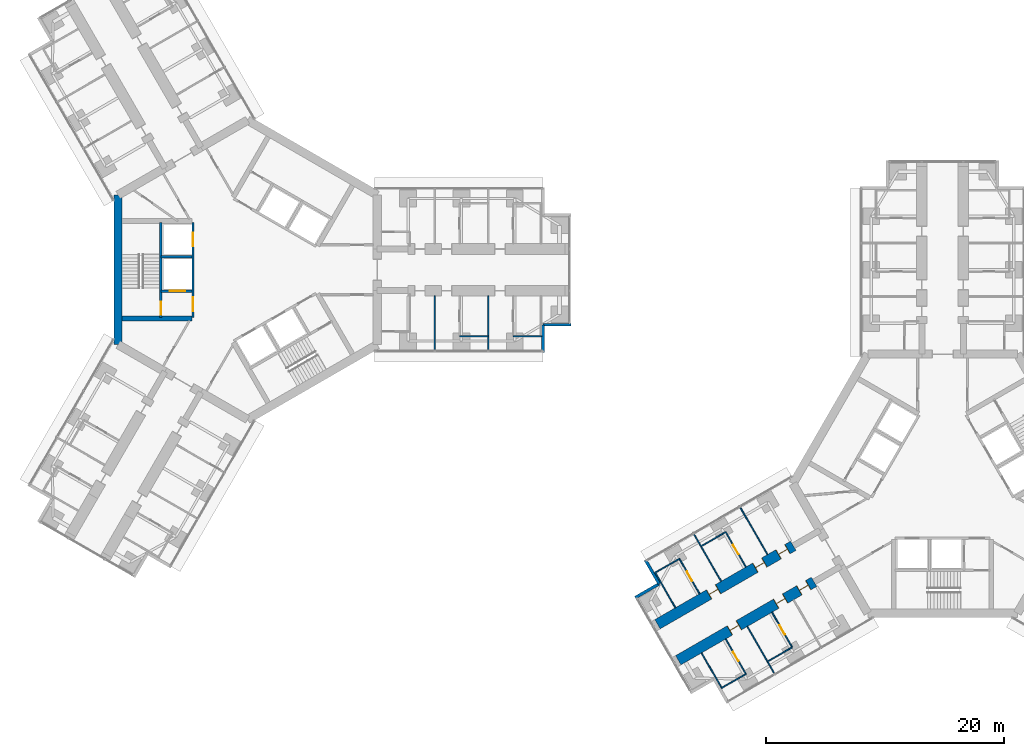
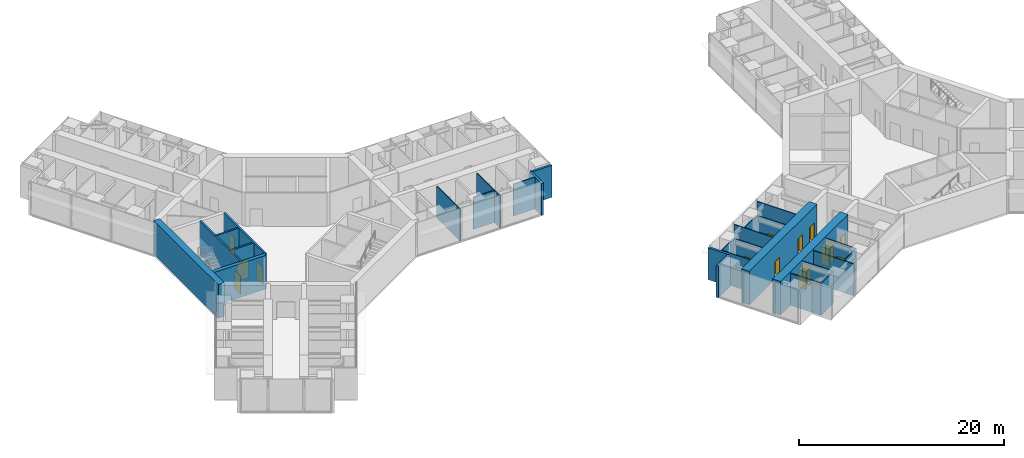
# One storey, part 17 of 25: 29 walls, 14 doors, 14 openings.
"""IFC4 building model written with IfcOpenShell, lengths in metres."""

import ifcopenshell
import ifcopenshell.guid

model = None  # the IFC model being written
_history = None  # IfcOwnerHistory: only IFC2X3 demands one
_inside = {}  # id of a spatial element -> (the spatial element, [elements in it])
_under = {}  # id of a project, library or spatial element -> (it, [spatial elements below it])
_declared = {}  # id of a project -> (the project, [libraries it declares])
_typed = {}  # id of a type object -> (the type object, [elements of that type])
_made_of = {}  # id of a material, layer set ... -> (it, [elements and type objects made of it])


def new_model(schema):
    """Start an empty IFC model of exactly this schema.

    Asked for "IFC4X3", IfcOpenShell would pick the latest addendum, in which some entities
    have other attributes; the version numbers below select the first issue.
    IFC2X3 requires an IfcOwnerHistory on every rooted entity: one is made here for all.
    """
    global model, _history
    if schema == "IFC4X3":
        model = ifcopenshell.file(schema_version=(4, 3, 0, 0))
    else:
        model = ifcopenshell.file(schema=schema)
    _inside.clear()
    _under.clear()
    _declared.clear()
    _typed.clear()
    _made_of.clear()
    _history = None
    if model.schema == "IFC2X3":
        org = make("IfcOrganization", Name="unknown")
        user = make(
            "IfcPersonAndOrganization",
            ThePerson=make("IfcPerson", FamilyName="unknown"),
            TheOrganization=org,
        )
        app = make(
            "IfcApplication",
            ApplicationDeveloper=org,
            Version="unknown",
            ApplicationFullName="unknown",
            ApplicationIdentifier="unknown",
        )
        _history = make(
            "IfcOwnerHistory",
            OwningUser=user,
            OwningApplication=app,
            ChangeAction="ADDED",
            CreationDate=0,
        )
    return model


def make(cls, **values):
    """One entity of the class cls with the attributes given. An attribute that is None is left unset."""
    return model.create_entity(
        cls, **{name: value for name, value in values.items() if value is not None}
    )


def rooted(cls, **values):
    """An entity with a GlobalId (a new one), such as an element, a storey or a relation."""
    return make(cls, GlobalId=ifcopenshell.guid.new(), OwnerHistory=_history, **values)


def si_unit(unit_type, name, prefix=None):
    """IfcSIUnit, for example si_unit("LENGTHUNIT", "METRE", prefix="MILLI")."""
    return make("IfcSIUnit", UnitType=unit_type, Prefix=prefix, Name=name)


def assignment(units):
    """IfcUnitAssignment: the units of a project."""
    return None if units is None else make("IfcUnitAssignment", Units=units)


def point(xyz):
    """IfcCartesianPoint."""
    return None if xyz is None else make("IfcCartesianPoint", Coordinates=xyz)


def direction(xyz):
    """IfcDirection."""
    return None if xyz is None else make("IfcDirection", DirectionRatios=xyz)


def frame(location, z_axis=None, x_axis=None):
    """IfcAxis2Placement3D, a coordinate frame: its origin and axes. An axis left out is left unset."""
    return make(
        "IfcAxis2Placement3D",
        Location=point(location),
        Axis=direction(z_axis),
        RefDirection=direction(x_axis),
    )


def frame_2d(location, x_axis=None):
    """IfcAxis2Placement2D, a coordinate frame in the plane: its origin and x axis."""
    return make(
        "IfcAxis2Placement2D", Location=point(location), RefDirection=direction(x_axis)
    )


def origin():
    """The frame at (0, 0, 0) with its axes left unset."""
    return frame((0.0, 0.0, 0.0))


def place(relative_to, where):
    """IfcLocalPlacement: puts the frame where relative to a parent placement (None: the world)."""
    return make(
        "IfcLocalPlacement", PlacementRelTo=relative_to, RelativePlacement=where
    )


def context(
    kind, dimensions, precision=None, world=None, true_north=None, identifier=None
):
    """IfcGeometricRepresentationContext, for example the 3D "Model" context."""
    return make(
        "IfcGeometricRepresentationContext",
        ContextIdentifier=identifier,
        ContextType=kind,
        CoordinateSpaceDimension=dimensions,
        Precision=precision,
        WorldCoordinateSystem=world,
        TrueNorth=true_north,
    )


def subcontext(parent, identifier, kind, view, scale=None):
    """IfcGeometricRepresentationSubContext, for example "Body" below "Model"."""
    return make(
        "IfcGeometricRepresentationSubContext",
        ContextIdentifier=identifier,
        ContextType=kind,
        ParentContext=parent,
        TargetScale=scale,
        TargetView=view,
    )


def project(units=None, contexts=None):
    """IfcProject with its units and contexts."""
    return rooted(
        "IfcProject",
        Name="project",
        RepresentationContexts=contexts,
        UnitsInContext=assignment(units),
    )


def spatial(cls, under=None, at=None, **own):
    """A site, building, storey or space (cls), placed at a placement, below another one or the project."""
    s = rooted(cls, ObjectPlacement=at, **own)
    if under is not None:
        _under.setdefault(under.id(), (under, []))[1].append(s)
    return s


def profile(cls, at=None, kind="AREA", **sizes):
    """A parametric profile (cls). Its sizes go by their IFC names, for example OverallWidth=200.0."""
    return make(cls, ProfileType=kind, Position=at, **sizes)


def rectangle(**sizes):
    """IfcRectangleProfileDef."""
    return profile("IfcRectangleProfileDef", **sizes)


def extrude(swept, where, along, depth):
    """IfcExtrudedAreaSolid: the profile swept, set in the frame where, extruded along a direction by depth."""
    return make(
        "IfcExtrudedAreaSolid",
        SweptArea=swept,
        Position=where,
        ExtrudedDirection=direction(along),
        Depth=depth,
    )


def shape(context_of_items, identifier, shape_type, items):
    """IfcShapeRepresentation: the items that make up one representation, for example the "Body"."""
    return make(
        "IfcShapeRepresentation",
        ContextOfItems=context_of_items,
        RepresentationIdentifier=identifier,
        RepresentationType=shape_type,
        Items=items,
    )


def material(Name=None, Category=None):
    """IfcMaterial."""
    return make("IfcMaterial", Name=Name, Category=Category)


def layer(
    of_material, thickness, ventilated=None, Name=None, Category=None, Priority=None
):
    """IfcMaterialLayer: one layer of a wall or slab, of a material (None: an air gap)."""
    return make(
        "IfcMaterialLayer",
        Material=of_material,
        LayerThickness=thickness,
        IsVentilated=ventilated,
        Name=Name,
        Category=Category,
        Priority=Priority,
    )


def layer_set(layers, Name=None):
    """IfcMaterialLayerSet."""
    return make("IfcMaterialLayerSet", MaterialLayers=layers, LayerSetName=Name)


def made_of(thing, what):
    """Note that an element or type object is made of a material, layer set ...; save() writes the relation."""
    if what is not None:
        _made_of.setdefault(what.id(), (what, []))[1].append(thing)
    return thing


def type_object(cls, material=None, **own):
    """A type object (cls), such as IfcWallType, which elements share."""
    return made_of(rooted(cls, **own), material)


def element(
    cls,
    number,
    at=None,
    inside=None,
    cuts=None,
    type_object=None,
    material=None,
    context=None,
    identifier="Body",
    shape_type=None,
    held_by="IfcProductDefinitionShape",
    body=None,
    shapes=None,
    **own,
):
    """One element of the class cls, such as IfcWall. Its Tag is "e" and its number.

    at: its placement. inside: the storey or other place that contains it. cuts: it is an
    opening in that element (IfcRelVoidsElement). A single representation is given by context,
    identifier, shape_type and body (its items); several are given by shapes. held_by: the class
    of the entity that holds the representations. save() writes the other relations.
    """
    e = rooted(cls, Tag="e%d" % number, ObjectPlacement=at, **own)
    if body is not None:
        shapes = [shape(context, identifier, shape_type, body)]
    if shapes is not None:
        e.Representation = make(held_by, Representations=shapes)
    if inside is not None:
        _inside.setdefault(inside.id(), (inside, []))[1].append(e)
    if cuts is not None:
        rooted(
            "IfcRelVoidsElement", RelatingBuildingElement=cuts, RelatedOpeningElement=e
        )
    if type_object is not None:
        _typed.setdefault(type_object.id(), (type_object, []))[1].append(e)
    return made_of(e, material)


def fill(opening, filler):
    """IfcRelFillsElement: the door or window that sits in an opening."""
    return rooted(
        "IfcRelFillsElement",
        RelatingOpeningElement=opening,
        RelatedBuildingElement=filler,
    )


def aggregate(whole, parts):
    """IfcRelAggregates: a whole, such as a stair, and the parts it consists of."""
    return rooted("IfcRelAggregates", RelatingObject=whole, RelatedObjects=parts)


def save(model, path):
    """Write the relations noted so far, then the file.

    IfcRelAggregates (storeys below a building ...), IfcRelContainedInSpatialStructure (elements
    in a storey), IfcRelDefinesByType, IfcRelAssociatesMaterial and IfcRelDeclares: one each for
    every whole, place, type object, material and project.
    """
    for whole, parts in _under.values():
        aggregate(whole, parts)
    for where, things in _inside.values():
        rooted(
            "IfcRelContainedInSpatialStructure",
            RelatedElements=things,
            RelatingStructure=where,
        )
    for kind, things in _typed.values():
        rooted("IfcRelDefinesByType", RelatedObjects=things, RelatingType=kind)
    for what, things in _made_of.values():
        rooted("IfcRelAssociatesMaterial", RelatedObjects=things, RelatingMaterial=what)
    for by, libraries in _declared.values():
        rooted("IfcRelDeclares", RelatingContext=by, RelatedDefinitions=libraries)
    model.write(path)


model = new_model("IFC4")

# Units and contexts
model_context = context("Model", 3, precision=1e-05, world=origin(), true_north=direction((0.0, 1.0)))
body_context = subcontext(model_context, "Body", "Model", "MODEL_VIEW")
ifc_project = project(units=[si_unit("LENGTHUNIT", "METRE"), si_unit("AREAUNIT", "SQUARE_METRE"), si_unit("VOLUMEUNIT", "CUBIC_METRE"), si_unit("PLANEANGLEUNIT", "RADIAN"), si_unit("MASSUNIT", "GRAM", prefix="KILO")], contexts=[model_context])

# Site, building, storey
site_placement = place(None, origin())
site = spatial("IfcSite", under=ifc_project, at=site_placement, CompositionType="ELEMENT")
building_placement = place(site_placement, origin())
building = spatial("IfcBuilding", under=site, at=building_placement, Name="Upepo Twin Towers", CompositionType="ELEMENT")
storey_placement = place(building_placement, frame((0.0, 0.0, 84.5)))
storey = spatial("IfcBuildingStorey", under=building, at=storey_placement, Name="L20", CompositionType="ELEMENT", Elevation=84.5)

# Wall, openings, doors
ifc_material_1 = material(Name="Concrete C60/75", Category="concrete")
ifc_layer_1 = layer(ifc_material_1, 0.89990234375)
ifc_layer_set_1 = layer_set([ifc_layer_1], Name="Concrete C60/75")
wall_type_1 = type_object("IfcWallType", Name="Buttress wall 900 RC", PredefinedType="SHEAR", material=ifc_layer_set_1)
wall_1_placement = place(storey_placement, frame((47.68359375, -26.265625, 0.0), z_axis=(0.0, 0.0, 1.0), x_axis=(-0.866027579429, -0.499996231654, 0.0)))
wall_1 = element("IfcWall", 1, at=wall_1_placement, inside=storey, type_object=wall_type_1, Name="T2 wing B buttress wall L part 2", PredefinedType="SHEAR", context=body_context, shape_type="SweptSolid", body=[
    extrude(rectangle(XDim=13.19970703125, YDim=0.89990234375, at=frame_2d((6.599853515625, 0.0))), origin(), (0.0, 0.0, 1.0), 4.0),
])
opening_1_placement = place(wall_1_placement, frame((0.550048828125, 0.0, 0.0)))
opening_1 = element("IfcOpeningElement", 2, at=opening_1_placement, cuts=wall_1, Name="Opening D14", PredefinedType="OPENING", context=body_context, shape_type="SweptSolid", body=[
    extrude(rectangle(XDim=0.89990234375, YDim=2.10009765625, at=frame_2d((0.449951171875, 1.050048828125))), frame((0.0, 0.4599609375, 0.0), z_axis=(0.0, -1.0, 0.0), x_axis=(1.0, 0.0, 0.0)), (0.0, 0.0, 1.0), 0.919921875),
])
opening_2_placement = place(wall_1_placement, frame((2.800048828125, 0.0, 0.0)))
opening_2 = element("IfcOpeningElement", 3, at=opening_2_placement, cuts=wall_1, Name="Opening D14", PredefinedType="OPENING", context=body_context, shape_type="SweptSolid", body=[
    extrude(rectangle(XDim=0.89990234375, YDim=2.10009765625, at=frame_2d((0.449951171875, 1.050048828125))), frame((0.0, 0.4599609375, 0.0), z_axis=(0.0, -1.0, 0.0), x_axis=(1.0, 0.0, 0.0)), (0.0, 0.0, 1.0), 0.919921875),
])
opening_3_placement = place(wall_1_placement, frame((7.300048828125, 0.0, 0.0)))
opening_3 = element("IfcOpeningElement", 4, at=opening_3_placement, cuts=wall_1, Name="Opening D14", PredefinedType="OPENING", context=body_context, shape_type="SweptSolid", body=[
    extrude(rectangle(XDim=0.89990234375, YDim=2.10009765625, at=frame_2d((0.449951171875, 1.050048828125))), frame((0.0, 0.4599609375, 0.0), z_axis=(0.0, -1.0, 0.0), x_axis=(1.0, 0.0, 0.0)), (0.0, 0.0, 1.0), 0.919921875),
])
ifc_material_2 = material(Name="Timber doorset", Category="wood")
door_type_1 = type_object("IfcDoorType", Name="Office door 900 FD30", OperationType="SINGLE_SWING_LEFT", PredefinedType="DOOR", material=ifc_material_2)
door_1_placement = place(opening_1_placement, origin())
door_1 = element("IfcDoor", 5, at=door_1_placement, inside=storey, type_object=door_type_1, Name="T2 L20 staff office door", OperationType="SINGLE_SWING_LEFT", OverallHeight=2.10009765625, OverallWidth=0.89990234375, PredefinedType="DOOR", context=body_context, shape_type="SweptSolid", body=[
    extrude(rectangle(XDim=0.81990234375, YDim=2.06009765625, at=frame_2d((0.449951171875, 1.030029296875))), frame((0.0, 0.02490234375, 0.0), z_axis=(0.0, -1.0, 0.0), x_axis=(1.0, 0.0, 0.0)), (0.0, 0.0, 1.0), 0.050048828125),
    extrude(rectangle(XDim=0.04, YDim=2.10009765625, at=frame_2d((0.02001953125, 1.050048828125))), frame((0.0, 0.44970703125, 0.0), z_axis=(0.0, -1.0, 0.0), x_axis=(1.0, 0.0, 0.0)), (0.0, 0.0, 1.0), 0.8994140625),
    extrude(rectangle(XDim=0.04, YDim=2.10009765625, at=frame_2d((0.8798828125, 1.050048828125))), frame((0.0, 0.44970703125, 0.0), z_axis=(0.0, -1.0, 0.0), x_axis=(1.0, 0.0, 0.0)), (0.0, 0.0, 1.0), 0.8994140625),
    extrude(rectangle(XDim=0.81990234375, YDim=0.04, at=frame_2d((0.449951171875, 2.080078125))), frame((0.0, 0.44970703125, 0.0), z_axis=(0.0, -1.0, 0.0), x_axis=(1.0, 0.0, 0.0)), (0.0, 0.0, 1.0), 0.8994140625),
])
fill(opening_1, door_1)
door_2_placement = place(opening_2_placement, origin())
door_2 = element("IfcDoor", 6, at=door_2_placement, inside=storey, type_object=door_type_1, Name="T2 L20 meeting room door", OperationType="SINGLE_SWING_LEFT", OverallHeight=2.10009765625, OverallWidth=0.89990234375, PredefinedType="DOOR", context=body_context, shape_type="SweptSolid", body=[
    extrude(rectangle(XDim=0.81990234375, YDim=2.06009765625, at=frame_2d((0.449951171875, 1.030029296875))), frame((0.0, 0.02490234375, 0.0), z_axis=(0.0, -1.0, 0.0), x_axis=(1.0, 0.0, 0.0)), (0.0, 0.0, 1.0), 0.050048828125),
    extrude(rectangle(XDim=0.04, YDim=2.10009765625, at=frame_2d((0.02001953125, 1.050048828125))), frame((0.0, 0.44970703125, 0.0), z_axis=(0.0, -1.0, 0.0), x_axis=(1.0, 0.0, 0.0)), (0.0, 0.0, 1.0), 0.8994140625),
    extrude(rectangle(XDim=0.04, YDim=2.10009765625, at=frame_2d((0.8798828125, 1.050048828125))), frame((0.0, 0.44970703125, 0.0), z_axis=(0.0, -1.0, 0.0), x_axis=(1.0, 0.0, 0.0)), (0.0, 0.0, 1.0), 0.8994140625),
    extrude(rectangle(XDim=0.81990234375, YDim=0.04, at=frame_2d((0.449951171875, 2.080078125))), frame((0.0, 0.44970703125, 0.0), z_axis=(0.0, -1.0, 0.0), x_axis=(1.0, 0.0, 0.0)), (0.0, 0.0, 1.0), 0.8994140625),
])
fill(opening_2, door_2)
door_3_placement = place(opening_3_placement, origin())
door_3 = element("IfcDoor", 7, at=door_3_placement, inside=storey, type_object=door_type_1, Name="T2 L20 staff office door", OperationType="SINGLE_SWING_RIGHT", OverallHeight=2.10009765625, OverallWidth=0.89990234375, PredefinedType="DOOR", context=body_context, shape_type="SweptSolid", body=[
    extrude(rectangle(XDim=0.81990234375, YDim=2.06009765625, at=frame_2d((0.449951171875, 1.030029296875))), frame((0.0, 0.02490234375, 0.0), z_axis=(0.0, -1.0, 0.0), x_axis=(1.0, 0.0, 0.0)), (0.0, 0.0, 1.0), 0.050048828125),
    extrude(rectangle(XDim=0.04, YDim=2.10009765625, at=frame_2d((0.02001953125, 1.050048828125))), frame((0.0, 0.44970703125, 0.0), z_axis=(0.0, -1.0, 0.0), x_axis=(1.0, 0.0, 0.0)), (0.0, 0.0, 1.0), 0.8994140625),
    extrude(rectangle(XDim=0.04, YDim=2.10009765625, at=frame_2d((0.8798828125, 1.050048828125))), frame((0.0, 0.44970703125, 0.0), z_axis=(0.0, -1.0, 0.0), x_axis=(1.0, 0.0, 0.0)), (0.0, 0.0, 1.0), 0.8994140625),
    extrude(rectangle(XDim=0.81990234375, YDim=0.04, at=frame_2d((0.449951171875, 2.080078125))), frame((0.0, 0.44970703125, 0.0), z_axis=(0.0, -1.0, 0.0), x_axis=(1.0, 0.0, 0.0)), (0.0, 0.0, 1.0), 0.8994140625),
])
fill(opening_3, door_3)

wall_2_placement = place(storey_placement, frame((45.93359375, -23.234375, 0.0), z_axis=(0.0, 0.0, 1.0), x_axis=(-0.866019570528, -0.500010103361, 0.0)))
wall_2 = element("IfcWall", 8, at=wall_2_placement, inside=storey, type_object=wall_type_1, Name="T2 wing B buttress wall R part 2", PredefinedType="SHEAR", context=body_context, shape_type="SweptSolid", body=[
    extrude(rectangle(XDim=13.199951171875, YDim=0.89990234375, at=frame_2d((6.60009765625, 0.0))), origin(), (0.0, 0.0, 1.0), 4.0),
])
opening_4_placement = place(wall_2_placement, frame((0.550048828125, 0.0, 0.0)))
opening_4 = element("IfcOpeningElement", 9, at=opening_4_placement, cuts=wall_2, Name="Opening D14", PredefinedType="OPENING", context=body_context, shape_type="SweptSolid", body=[
    extrude(rectangle(XDim=0.89990234375, YDim=2.10009765625, at=frame_2d((0.449951171875, 1.050048828125))), frame((0.0, 0.4599609375, 0.0), z_axis=(0.0, -1.0, 0.0), x_axis=(1.0, 0.0, 0.0)), (0.0, 0.0, 1.0), 0.919921875),
])
opening_5_placement = place(wall_2_placement, frame((2.800048828125, 0.0, 0.0)))
opening_5 = element("IfcOpeningElement", 10, at=opening_5_placement, cuts=wall_2, Name="Opening D14", PredefinedType="OPENING", context=body_context, shape_type="SweptSolid", body=[
    extrude(rectangle(XDim=0.89990234375, YDim=2.10009765625, at=frame_2d((0.449951171875, 1.050048828125))), frame((0.0, 0.4599609375, 0.0), z_axis=(0.0, -1.0, 0.0), x_axis=(1.0, 0.0, 0.0)), (0.0, 0.0, 1.0), 0.919921875),
])
opening_6_placement = place(wall_2_placement, frame((7.300048828125, 0.0, 0.0)))
opening_6 = element("IfcOpeningElement", 11, at=opening_6_placement, cuts=wall_2, Name="Opening D14", PredefinedType="OPENING", context=body_context, shape_type="SweptSolid", body=[
    extrude(rectangle(XDim=0.89990234375, YDim=2.10009765625, at=frame_2d((0.449951171875, 1.050048828125))), frame((0.0, 0.4599609375, 0.0), z_axis=(0.0, -1.0, 0.0), x_axis=(1.0, 0.0, 0.0)), (0.0, 0.0, 1.0), 0.919921875),
])
door_4_placement = place(opening_4_placement, origin())
door_4 = element("IfcDoor", 12, at=door_4_placement, inside=storey, type_object=door_type_1, Name="T2 L20 postgraduate office door", OperationType="SINGLE_SWING_LEFT", OverallHeight=2.10009765625, OverallWidth=0.89990234375, PredefinedType="DOOR", context=body_context, shape_type="SweptSolid", body=[
    extrude(rectangle(XDim=0.81990234375, YDim=2.06009765625, at=frame_2d((0.449951171875, 1.030029296875))), frame((0.0, 0.02490234375, 0.0), z_axis=(0.0, -1.0, 0.0), x_axis=(1.0, 0.0, 0.0)), (0.0, 0.0, 1.0), 0.050048828125),
    extrude(rectangle(XDim=0.04, YDim=2.10009765625, at=frame_2d((0.02001953125, 1.050048828125))), frame((0.0, 0.44970703125, 0.0), z_axis=(0.0, -1.0, 0.0), x_axis=(1.0, 0.0, 0.0)), (0.0, 0.0, 1.0), 0.8994140625),
    extrude(rectangle(XDim=0.04, YDim=2.10009765625, at=frame_2d((0.8798828125, 1.050048828125))), frame((0.0, 0.44970703125, 0.0), z_axis=(0.0, -1.0, 0.0), x_axis=(1.0, 0.0, 0.0)), (0.0, 0.0, 1.0), 0.8994140625),
    extrude(rectangle(XDim=0.81990234375, YDim=0.04, at=frame_2d((0.449951171875, 2.080078125))), frame((0.0, 0.44970703125, 0.0), z_axis=(0.0, -1.0, 0.0), x_axis=(1.0, 0.0, 0.0)), (0.0, 0.0, 1.0), 0.8994140625),
])
fill(opening_4, door_4)
door_5_placement = place(opening_5_placement, origin())
door_5 = element("IfcDoor", 13, at=door_5_placement, inside=storey, type_object=door_type_1, Name="T2 L20 staff office door", OperationType="SINGLE_SWING_LEFT", OverallHeight=2.10009765625, OverallWidth=0.89990234375, PredefinedType="DOOR", context=body_context, shape_type="SweptSolid", body=[
    extrude(rectangle(XDim=0.81990234375, YDim=2.06009765625, at=frame_2d((0.449951171875, 1.030029296875))), frame((0.0, 0.02490234375, 0.0), z_axis=(0.0, -1.0, 0.0), x_axis=(1.0, 0.0, 0.0)), (0.0, 0.0, 1.0), 0.050048828125),
    extrude(rectangle(XDim=0.04, YDim=2.10009765625, at=frame_2d((0.02001953125, 1.050048828125))), frame((0.0, 0.44970703125, 0.0), z_axis=(0.0, -1.0, 0.0), x_axis=(1.0, 0.0, 0.0)), (0.0, 0.0, 1.0), 0.8994140625),
    extrude(rectangle(XDim=0.04, YDim=2.10009765625, at=frame_2d((0.8798828125, 1.050048828125))), frame((0.0, 0.44970703125, 0.0), z_axis=(0.0, -1.0, 0.0), x_axis=(1.0, 0.0, 0.0)), (0.0, 0.0, 1.0), 0.8994140625),
    extrude(rectangle(XDim=0.81990234375, YDim=0.04, at=frame_2d((0.449951171875, 2.080078125))), frame((0.0, 0.44970703125, 0.0), z_axis=(0.0, -1.0, 0.0), x_axis=(1.0, 0.0, 0.0)), (0.0, 0.0, 1.0), 0.8994140625),
])
fill(opening_5, door_5)
door_6_placement = place(opening_6_placement, origin())
door_6 = element("IfcDoor", 14, at=door_6_placement, inside=storey, type_object=door_type_1, Name="T2 L20 meeting room door", OperationType="SINGLE_SWING_RIGHT", OverallHeight=2.10009765625, OverallWidth=0.89990234375, PredefinedType="DOOR", context=body_context, shape_type="SweptSolid", body=[
    extrude(rectangle(XDim=0.81990234375, YDim=2.06009765625, at=frame_2d((0.449951171875, 1.030029296875))), frame((0.0, 0.02490234375, 0.0), z_axis=(0.0, -1.0, 0.0), x_axis=(1.0, 0.0, 0.0)), (0.0, 0.0, 1.0), 0.050048828125),
    extrude(rectangle(XDim=0.04, YDim=2.10009765625, at=frame_2d((0.02001953125, 1.050048828125))), frame((0.0, 0.44970703125, 0.0), z_axis=(0.0, -1.0, 0.0), x_axis=(1.0, 0.0, 0.0)), (0.0, 0.0, 1.0), 0.8994140625),
    extrude(rectangle(XDim=0.04, YDim=2.10009765625, at=frame_2d((0.8798828125, 1.050048828125))), frame((0.0, 0.44970703125, 0.0), z_axis=(0.0, -1.0, 0.0), x_axis=(1.0, 0.0, 0.0)), (0.0, 0.0, 1.0), 0.8994140625),
    extrude(rectangle(XDim=0.81990234375, YDim=0.04, at=frame_2d((0.449951171875, 2.080078125))), frame((0.0, 0.44970703125, 0.0), z_axis=(0.0, -1.0, 0.0), x_axis=(1.0, 0.0, 0.0)), (0.0, 0.0, 1.0), 0.8994140625),
])
fill(opening_6, door_6)

# Walls
ifc_material_3 = material(Name="Concrete C60/75", Category="concrete")
ifc_layer_2 = layer(ifc_material_3, 0.699951171875)
ifc_layer_set_2 = layer_set([ifc_layer_2], Name="Concrete C60/75")
wall_type_2 = type_object("IfcWallType", Name="Core wall 700 RC", PredefinedType="SHEAR", material=ifc_layer_set_2)
wall_3_placement = place(storey_placement, frame((-10.908447265625, 6.2978515625, 0.0), z_axis=(0.0, 0.0, 1.0), x_axis=(0.0, -1.0, 0.0)))
element("IfcWall", 15, at=wall_3_placement, inside=storey, type_object=wall_type_2, Name="T1 core wall 180", PredefinedType="SHEAR", context=body_context, shape_type="SweptSolid", body=[
    extrude(rectangle(XDim=12.595703125, YDim=0.699951171875, at=frame_2d((6.2978515625, 0.0))), origin(), (0.0, 0.0, 1.0), 4.0),
])
ifc_material_4 = material(Name="Blockwork with anodised aluminium cladding", Category="masonry")
ifc_layer_3 = layer(ifc_material_4, 0.25)
ifc_layer_set_3 = layer_set([ifc_layer_3], Name="Notch cladding wall 250, pale metal")
wall_type_3 = type_object("IfcWallType", Name="Notch cladding wall 250, pale metal", PredefinedType="STANDARD", material=ifc_layer_set_3)
for number, where, z_axis, x_axis, name in (
    (16, (24.875, -6.949951171875, 0.0), (0.0, 0.0, 1.0), (0.0, 1.0, 0.0), "T1 L20 wing A notch wall R1"),
    (17, (24.875, -4.625, 0.0), (0.0, 0.0, 1.0), (1.0, 0.0, 0.0), "T1 L20 wing A notch wall R2"),
    (18, (33.482666015625, -24.418701171875, 0.0), (0.0, 0.0, 1.0), (0.499967891604, -0.866043940782, 0.0), "T2 L20 wing B notch wall R1"),
    (19, (34.64501953125, -26.43212890625, 0.0), (0.0, 0.0, 1.0), (-0.865998469481, -0.500046648681, 0.0), "T2 L20 wing B notch wall R2"),
):
    element("IfcWall", number, at=place(storey_placement, frame(where, z_axis=z_axis, x_axis=x_axis)), inside=storey, type_object=wall_type_3, Name=name, PredefinedType="STANDARD", context=body_context, shape_type="SweptSolid", body=[
        extrude(rectangle(XDim=2.324951171875, YDim=0.25, at=frame_2d((1.16259765625, 0.0))), origin(), (0.0, 0.0, 1.0), 3.800048828125),
    ])
ifc_material_5 = material(Name="Gypsum board on steel studs", Category="steel")
ifc_layer_4 = layer(ifc_material_5, 0.10009765625)
ifc_layer_set_4 = layer_set([ifc_layer_4], Name="Office partition 100 stud")
wall_type_4 = type_object("IfcWallType", Name="Office partition 100 stud", PredefinedType="PARTITIONING", material=ifc_layer_set_4)
for number, where, z_axis, x_axis, name in (
    (20, (15.75, -2.199951171875, 0.0), (0.0, 0.0, 1.0), (0.0, -1.0, 0.0), "T1 partition AR at 15.75"),
    (21, (20.25, -2.199951171875, 0.0), (0.0, 0.0, 1.0), (0.0, -1.0, 0.0), "T1 partition AR at 20.25"),
):
    element("IfcWall", number, at=place(storey_placement, frame(where, z_axis=z_axis, x_axis=x_axis)), inside=storey, type_object=wall_type_4, Name=name, PredefinedType="PARTITIONING", context=body_context, shape_type="SweptSolid", body=[
        extrude(rectangle(XDim=4.550048828125, YDim=0.10009765625, at=frame_2d((2.27490234375, 0.0))), origin(), (0.0, 0.0, 1.0), 3.800048828125),
    ])
for number, where, z_axis, x_axis, name in (
    (22, (17.85009765625, -5.60009765625, 0.0), (0.0, 0.0, 1.0), (1.0, 0.0, 0.0), "T1 inner room partition AR at 17.85"),
    (23, (22.35009765625, -5.60009765625, 0.0), (0.0, 0.0, 1.0), (1.0, 0.0, 0.0), "T1 inner room partition AR at 22.35"),
):
    element("IfcWall", number, at=place(storey_placement, frame(where, z_axis=z_axis, x_axis=x_axis)), inside=storey, type_object=wall_type_4, Name=name, PredefinedType="PARTITIONING", context=body_context, shape_type="SweptSolid", body=[
        extrude(rectangle(XDim=2.39990234375, YDim=0.10009765625, at=frame_2d((1.199951171875, 0.0))), origin(), (0.0, 0.0, 1.0), 3.800048828125),
    ])
wall_4_placement = place(storey_placement, frame((42.06298828125, -30.0302734375, 0.0), z_axis=(0.0, 0.0, 1.0), x_axis=(0.499982560684, -0.866035472144, 0.0)))
element("IfcWall", 24, at=wall_4_placement, inside=storey, type_object=wall_type_4, Name="T2 partition BL at 20.25", PredefinedType="PARTITIONING", context=body_context, shape_type="SweptSolid", body=[
    extrude(rectangle(XDim=4.550048828125, YDim=0.10009765625, at=frame_2d((2.27490234375, 0.0))), origin(), (0.0, 0.0, 1.0), 3.800048828125),
])
wall_5_placement = place(storey_placement, frame((45.841552734375, -31.774658203125, 0.0), z_axis=(0.0, 0.0, 1.0), x_axis=(-0.866006032174, -0.500033551112, 0.0)))
element("IfcWall", 25, at=wall_5_placement, inside=storey, type_object=wall_type_4, Name="T2 inner room partition BL at 17.85", PredefinedType="PARTITIONING", context=body_context, shape_type="SweptSolid", body=[
    extrude(rectangle(XDim=2.400146484375, YDim=0.10009765625, at=frame_2d((1.2001953125, 0.0))), origin(), (0.0, 0.0, 1.0), 3.800048828125),
])

# Wall, opening, door
wall_6_placement = place(storey_placement, frame((44.141357421875, -28.830322265625, 0.0), z_axis=(0.0, 0.0, 1.0), x_axis=(0.500062241894, -0.865989465428, 0.0)))
wall_6 = element("IfcWall", 26, at=wall_6_placement, inside=storey, type_object=wall_type_4, Name="T2 inner room partition BL end at 17.85", PredefinedType="PARTITIONING", context=body_context, shape_type="SweptSolid", body=[
    extrude(rectangle(XDim=3.39990234375, YDim=0.10009765625, at=frame_2d((1.699951171875, 0.0))), origin(), (0.0, 0.0, 1.0), 3.800048828125),
])
opening_7_placement = place(wall_6_placement, frame((1.25, 0.0, 0.0)))
opening_7 = element("IfcOpeningElement", 27, at=opening_7_placement, cuts=wall_6, Name="Opening D14", PredefinedType="OPENING", context=body_context, shape_type="SweptSolid", body=[
    extrude(rectangle(XDim=0.89990234375, YDim=2.10009765625, at=frame_2d((0.449951171875, 1.050048828125))), frame((0.0, 0.06005859375, 0.0), z_axis=(0.0, -1.0, 0.0), x_axis=(1.0, 0.0, 0.0)), (0.0, 0.0, 1.0), 0.1201171875),
])
door_7_placement = place(opening_7_placement, origin())
door_7 = element("IfcDoor", 28, at=door_7_placement, inside=storey, type_object=door_type_1, Name="T2 L20 inner room door", OperationType="SINGLE_SWING_LEFT", OverallHeight=2.10009765625, OverallWidth=0.89990234375, PredefinedType="DOOR", context=body_context, shape_type="SweptSolid", body=[
    extrude(rectangle(XDim=0.89990234375, YDim=2.10009765625, at=frame_2d((0.449951171875, 1.050048828125))), frame((0.0, 0.02490234375, 0.0), z_axis=(0.0, -1.0, 0.0), x_axis=(1.0, 0.0, 0.0)), (0.0, 0.0, 1.0), 0.050048828125),
])
fill(opening_7, door_7)

# Wall
wall_7_placement = place(storey_placement, frame((41.9443359375, -34.024658203125, 0.0), z_axis=(0.0, 0.0, 1.0), x_axis=(-0.865980596518, -0.500077600433, 0.0)))
element("IfcWall", 29, at=wall_7_placement, inside=storey, type_object=wall_type_4, Name="T2 inner room partition BL at 22.35", PredefinedType="PARTITIONING", context=body_context, shape_type="SweptSolid", body=[
    extrude(rectangle(XDim=2.39990234375, YDim=0.10009765625, at=frame_2d((1.199951171875, 0.0))), origin(), (0.0, 0.0, 1.0), 3.800048828125),
])

# Wall, opening, door
wall_8_placement = place(storey_placement, frame((40.244384765625, -31.080322265625, 0.0), z_axis=(0.0, 0.0, 1.0), x_axis=(0.500008388397, -0.866020560687, 0.0)))
wall_8 = element("IfcWall", 30, at=wall_8_placement, inside=storey, type_object=wall_type_4, Name="T2 inner room partition BL end at 22.35", PredefinedType="PARTITIONING", context=body_context, shape_type="SweptSolid", body=[
    extrude(rectangle(XDim=3.39990234375, YDim=0.10009765625, at=frame_2d((1.699951171875, 0.0))), origin(), (0.0, 0.0, 1.0), 3.800048828125),
])
opening_8_placement = place(wall_8_placement, frame((1.25, 0.0, 0.0)))
opening_8 = element("IfcOpeningElement", 31, at=opening_8_placement, cuts=wall_8, Name="Opening D14", PredefinedType="OPENING", context=body_context, shape_type="SweptSolid", body=[
    extrude(rectangle(XDim=0.89990234375, YDim=2.10009765625, at=frame_2d((0.449951171875, 1.050048828125))), frame((0.0, 0.06005859375, 0.0), z_axis=(0.0, -1.0, 0.0), x_axis=(1.0, 0.0, 0.0)), (0.0, 0.0, 1.0), 0.1201171875),
])
door_8_placement = place(opening_8_placement, origin())
door_8 = element("IfcDoor", 32, at=door_8_placement, inside=storey, type_object=door_type_1, Name="T2 L20 inner room door", OperationType="SINGLE_SWING_LEFT", OverallHeight=2.10009765625, OverallWidth=0.89990234375, PredefinedType="DOOR", context=body_context, shape_type="SweptSolid", body=[
    extrude(rectangle(XDim=0.89990234375, YDim=2.10009765625, at=frame_2d((0.449951171875, 1.050048828125))), frame((0.0, 0.02490234375, 0.0), z_axis=(0.0, -1.0, 0.0), x_axis=(1.0, 0.0, 0.0)), (0.0, 0.0, 1.0), 0.050048828125),
])
fill(opening_8, door_8)

# Walls
wall_9_placement = place(storey_placement, frame((38.209228515625, -32.25537109375, 0.0), z_axis=(0.0, 0.0, 1.0), x_axis=(0.500008388397, -0.866020560687, 0.0)))
element("IfcWall", 33, at=wall_9_placement, inside=storey, type_object=wall_type_4, Name="T2 inner room partition BL end at 24.75", PredefinedType="PARTITIONING", context=body_context, shape_type="SweptSolid", body=[
    extrude(rectangle(XDim=3.39990234375, YDim=0.10009765625, at=frame_2d((1.699951171875, 0.0))), origin(), (0.0, 0.0, 1.0), 3.800048828125),
])
for number, where, z_axis, x_axis, name in (
    (34, (43.760009765625, -23.9697265625, 0.0), (0.0, 0.0, 1.0), (-0.499982560684, 0.866035472144, 0.0), "T2 partition BR at 15.75"),
    (35, (39.863037109375, -26.2197265625, 0.0), (0.0, 0.0, 1.0), (-0.500022803284, 0.866012237902, 0.0), "T2 partition BR at 20.25"),
):
    element("IfcWall", number, at=place(storey_placement, frame(where, z_axis=z_axis, x_axis=x_axis)), inside=storey, type_object=wall_type_4, Name=name, PredefinedType="PARTITIONING", context=body_context, shape_type="SweptSolid", body=[
        extrude(rectangle(XDim=4.550048828125, YDim=0.10009765625, at=frame_2d((2.27490234375, 0.0))), origin(), (0.0, 0.0, 1.0), 3.800048828125),
    ])
wall_10_placement = place(storey_placement, frame((40.241455078125, -22.0751953125, 0.0), z_axis=(0.0, 0.0, 1.0), x_axis=(-0.866024647952, -0.500001309137, 0.0)))
element("IfcWall", 36, at=wall_10_placement, inside=storey, type_object=wall_type_4, Name="T2 inner room partition BR at 17.85", PredefinedType="PARTITIONING", context=body_context, shape_type="SweptSolid", body=[
    extrude(rectangle(XDim=2.39990234375, YDim=0.10009765625, at=frame_2d((1.199951171875, 0.0))), origin(), (0.0, 0.0, 1.0), 3.800048828125),
])

# Wall, opening, door
wall_11_placement = place(storey_placement, frame((41.94140625, -25.019775390625, 0.0), z_axis=(0.0, 0.0, 1.0), x_axis=(-0.499977295307, 0.866038511948, 0.0)))
wall_11 = element("IfcWall", 37, at=wall_11_placement, inside=storey, type_object=wall_type_4, Name="T2 inner room partition BR end at 17.85", PredefinedType="PARTITIONING", context=body_context, shape_type="SweptSolid", body=[
    extrude(rectangle(XDim=3.400146484375, YDim=0.10009765625, at=frame_2d((1.7001953125, 0.0))), origin(), (0.0, 0.0, 1.0), 3.800048828125),
])
opening_9_placement = place(wall_11_placement, frame((1.25, 0.0, 0.0)))
opening_9 = element("IfcOpeningElement", 38, at=opening_9_placement, cuts=wall_11, Name="Opening D14", PredefinedType="OPENING", context=body_context, shape_type="SweptSolid", body=[
    extrude(rectangle(XDim=0.89990234375, YDim=2.10009765625, at=frame_2d((0.449951171875, 1.050048828125))), frame((0.0, 0.06005859375, 0.0), z_axis=(0.0, -1.0, 0.0), x_axis=(1.0, 0.0, 0.0)), (0.0, 0.0, 1.0), 0.1201171875),
])
door_9_placement = place(opening_9_placement, origin())
door_9 = element("IfcDoor", 39, at=door_9_placement, inside=storey, type_object=door_type_1, Name="T2 L20 inner room door", OperationType="SINGLE_SWING_LEFT", OverallHeight=2.10009765625, OverallWidth=0.89990234375, PredefinedType="DOOR", context=body_context, shape_type="SweptSolid", body=[
    extrude(rectangle(XDim=0.89990234375, YDim=2.10009765625, at=frame_2d((0.449951171875, 1.050048828125))), frame((0.0, 0.02490234375, 0.0), z_axis=(0.0, -1.0, 0.0), x_axis=(1.0, 0.0, 0.0)), (0.0, 0.0, 1.0), 0.050048828125),
])
fill(opening_9, door_9)

# Wall
wall_12_placement = place(storey_placement, frame((36.34423828125, -24.3251953125, 0.0), z_axis=(0.0, 0.0, 1.0), x_axis=(-0.866024647952, -0.500001309137, 0.0)))
element("IfcWall", 40, at=wall_12_placement, inside=storey, type_object=wall_type_4, Name="T2 inner room partition BR at 22.35", PredefinedType="PARTITIONING", context=body_context, shape_type="SweptSolid", body=[
    extrude(rectangle(XDim=2.39990234375, YDim=0.10009765625, at=frame_2d((1.199951171875, 0.0))), origin(), (0.0, 0.0, 1.0), 3.800048828125),
])

# Wall, opening, door
wall_13_placement = place(storey_placement, frame((38.04443359375, -27.269775390625, 0.0), z_axis=(0.0, 0.0, 1.0), x_axis=(-0.500031147688, 0.866007419912, 0.0)))
wall_13 = element("IfcWall", 41, at=wall_13_placement, inside=storey, type_object=wall_type_4, Name="T2 inner room partition BR end at 22.35", PredefinedType="PARTITIONING", context=body_context, shape_type="SweptSolid", body=[
    extrude(rectangle(XDim=3.400146484375, YDim=0.10009765625, at=frame_2d((1.7001953125, 0.0))), origin(), (0.0, 0.0, 1.0), 3.800048828125),
])
opening_10_placement = place(wall_13_placement, frame((1.25, 0.0, 0.0)))
opening_10 = element("IfcOpeningElement", 42, at=opening_10_placement, cuts=wall_13, Name="Opening D14", PredefinedType="OPENING", context=body_context, shape_type="SweptSolid", body=[
    extrude(rectangle(XDim=0.89990234375, YDim=2.10009765625, at=frame_2d((0.449951171875, 1.050048828125))), frame((0.0, 0.06005859375, 0.0), z_axis=(0.0, -1.0, 0.0), x_axis=(1.0, 0.0, 0.0)), (0.0, 0.0, 1.0), 0.1201171875),
])
door_10_placement = place(opening_10_placement, origin())
door_10 = element("IfcDoor", 43, at=door_10_placement, inside=storey, type_object=door_type_1, Name="T2 L20 inner room door", OperationType="SINGLE_SWING_LEFT", OverallHeight=2.10009765625, OverallWidth=0.89990234375, PredefinedType="DOOR", context=body_context, shape_type="SweptSolid", body=[
    extrude(rectangle(XDim=0.89990234375, YDim=2.10009765625, at=frame_2d((0.449951171875, 1.050048828125))), frame((0.0, 0.02490234375, 0.0), z_axis=(0.0, -1.0, 0.0), x_axis=(1.0, 0.0, 0.0)), (0.0, 0.0, 1.0), 0.050048828125),
])
fill(opening_10, door_10)

# Wall
wall_14_placement = place(storey_placement, frame((36.00927734375, -28.44482421875, 0.0), z_axis=(0.0, 0.0, 1.0), x_axis=(-0.500031147688, 0.866007419912, 0.0)))
element("IfcWall", 44, at=wall_14_placement, inside=storey, type_object=wall_type_4, Name="T2 inner room partition BR end at 24.75", PredefinedType="PARTITIONING", context=body_context, shape_type="SweptSolid", body=[
    extrude(rectangle(XDim=3.400146484375, YDim=0.10009765625, at=frame_2d((1.7001953125, 0.0))), origin(), (0.0, 0.0, 1.0), 3.800048828125),
])

# Wall, openings, doors
ifc_material_6 = material(Name="Concrete C40/50", Category="concrete")
ifc_layer_5 = layer(ifc_material_6, 0.199951171875)
ifc_layer_set_5 = layer_set([ifc_layer_5], Name="Concrete C40/50")
wall_type_5 = type_object("IfcWallType", Name="Shaft wall 200 RC", PredefinedType="SHEAR", material=ifc_layer_set_5)
wall_15_placement = place(storey_placement, frame((-4.60009765625, 4.0, 0.0), z_axis=(0.0, 0.0, 1.0), x_axis=(0.0, -1.0, 0.0)))
wall_15 = element("IfcWall", 45, at=wall_15_placement, inside=storey, type_object=wall_type_5, Name="T1 core W180 front wall", PredefinedType="SHEAR", context=body_context, shape_type="SweptSolid", body=[
    extrude(rectangle(XDim=8.0, YDim=0.199951171875, at=frame_2d((4.0, 0.0))), origin(), (0.0, 0.0, 1.0), 4.0),
])
opening_11_placement = place(wall_15_placement, frame((6.300048828125, 0.0, 0.0)))
opening_11 = element("IfcOpeningElement", 46, at=opening_11_placement, cuts=wall_15, Name="Opening D4", PredefinedType="OPENING", context=body_context, shape_type="SweptSolid", body=[
    extrude(rectangle(XDim=1.199951171875, YDim=2.10009765625, at=frame_2d((0.60009765625, 1.050048828125))), frame((0.0, 0.10986328125, 0.0), z_axis=(0.0, -1.0, 0.0), x_axis=(1.0, 0.0, 0.0)), (0.0, 0.0, 1.0), 0.219970703125),
])
opening_12_placement = place(wall_15_placement, frame((0.89990234375, 0.0, 0.0)))
opening_12 = element("IfcOpeningElement", 47, at=opening_12_placement, cuts=wall_15, Name="Opening LD1", PredefinedType="OPENING", context=body_context, shape_type="SweptSolid", body=[
    extrude(rectangle(XDim=1.10009765625, YDim=2.199951171875, at=frame_2d((0.550048828125, 1.10009765625))), frame((0.0, 0.10986328125, 0.0), z_axis=(0.0, -1.0, 0.0), x_axis=(1.0, 0.0, 0.0)), (0.0, 0.0, 1.0), 0.219970703125),
])
ifc_material_7 = material(Name="Steel doorset", Category="steel")
door_type_2 = type_object("IfcDoorType", Name="Lift landing door 1100", OperationType="DOUBLE_DOOR_SLIDING", PredefinedType="DOOR", material=ifc_material_7)
door_11_placement = place(opening_12_placement, origin())
door_11 = element("IfcDoor", 48, at=door_11_placement, inside=storey, type_object=door_type_2, Name="T1 L20 lift SV1 landing door", OperationType="DOUBLE_DOOR_SLIDING", OverallHeight=2.199951171875, OverallWidth=1.10009765625, PredefinedType="DOOR", context=body_context, shape_type="SweptSolid", body=[
    extrude(rectangle(XDim=1.10009765625, YDim=2.199951171875, at=frame_2d((0.550048828125, 1.10009765625))), frame((0.0, 0.02490234375, 0.0), z_axis=(0.0, -1.0, 0.0), x_axis=(1.0, 0.0, 0.0)), (0.0, 0.0, 1.0), 0.050048828125),
])
fill(opening_12, door_11)
ifc_material_8 = material(Name="Timber doorset", Category="wood")
door_type_3 = type_object("IfcDoorType", Name="Lobby door 1200 FD60", OperationType="SINGLE_SWING_LEFT", PredefinedType="DOOR", material=ifc_material_8)
door_12_placement = place(opening_11_placement, origin())
door_12 = element("IfcDoor", 49, at=door_12_placement, inside=storey, type_object=door_type_3, Name="T1 L20 W180 lobby door", OperationType="SINGLE_SWING_RIGHT", OverallHeight=2.10009765625, OverallWidth=1.199951171875, PredefinedType="DOOR", context=body_context, shape_type="SweptSolid", body=[
    extrude(rectangle(XDim=1.199951171875, YDim=2.10009765625, at=frame_2d((0.60009765625, 1.050048828125))), frame((0.0, 0.02490234375, 0.0), z_axis=(0.0, -1.0, 0.0), x_axis=(1.0, 0.0, 0.0)), (0.0, 0.0, 1.0), 0.050048828125),
])
fill(opening_11, door_12)

# Wall
wall_16_placement = place(storey_placement, frame((-4.699951171875, 1.10009765625, 0.0), z_axis=(0.0, 0.0, 1.0), x_axis=(-1.0, 0.0, 0.0)))
element("IfcWall", 50, at=wall_16_placement, inside=storey, type_object=wall_type_5, Name="T1 core W180 shaft divider", PredefinedType="SHEAR", context=body_context, shape_type="SweptSolid", body=[
    extrude(rectangle(XDim=2.60009765625, YDim=0.199951171875, at=frame_2d((1.300048828125, 0.0))), origin(), (0.0, 0.0, 1.0), 4.0),
])

# Wall, opening, door
wall_17_placement = place(storey_placement, frame((-4.699951171875, -1.800048828125, 0.0), z_axis=(0.0, 0.0, 1.0), x_axis=(-1.0, 0.0, 0.0)))
wall_17 = element("IfcWall", 51, at=wall_17_placement, inside=storey, type_object=wall_type_5, Name="T1 core W180 lobby wall", PredefinedType="SHEAR", context=body_context, shape_type="SweptSolid", body=[
    extrude(rectangle(XDim=2.60009765625, YDim=0.199951171875, at=frame_2d((1.300048828125, 0.0))), origin(), (0.0, 0.0, 1.0), 4.0),
])
opening_13_placement = place(wall_17_placement, frame((0.550048828125, 0.0, 0.0)))
opening_13 = element("IfcOpeningElement", 52, at=opening_13_placement, cuts=wall_17, Name="Opening LD2", PredefinedType="OPENING", context=body_context, shape_type="SweptSolid", body=[
    extrude(rectangle(XDim=1.300048828125, YDim=2.199951171875, at=frame_2d((0.64990234375, 1.10009765625))), frame((0.0, 0.10986328125, 0.0), z_axis=(0.0, -1.0, 0.0), x_axis=(1.0, 0.0, 0.0)), (0.0, 0.0, 1.0), 0.219970703125),
])
ifc_material_9 = material(Name="Steel doorset", Category="steel")
door_type_4 = type_object("IfcDoorType", Name="Firefighting lift landing door 1300", OperationType="DOUBLE_DOOR_SLIDING", PredefinedType="DOOR", material=ifc_material_9)
door_13_placement = place(opening_13_placement, origin())
door_13 = element("IfcDoor", 53, at=door_13_placement, inside=storey, type_object=door_type_4, Name="T1 L20 firefighting lift landing door", OperationType="DOUBLE_DOOR_SLIDING", OverallHeight=2.199951171875, OverallWidth=1.300048828125, PredefinedType="DOOR", context=body_context, shape_type="SweptSolid", body=[
    extrude(rectangle(XDim=1.300048828125, YDim=2.199951171875, at=frame_2d((0.64990234375, 1.10009765625))), frame((0.0, 0.02490234375, 0.0), z_axis=(0.0, -1.0, 0.0), x_axis=(1.0, 0.0, 0.0)), (0.0, 0.0, 1.0), 0.050048828125),
])
fill(opening_13, door_13)

wall_18_placement = place(storey_placement, frame((-7.300048828125, 4.0, 0.0), z_axis=(0.0, 0.0, 1.0), x_axis=(0.0, -1.0, 0.0)))
wall_18 = element("IfcWall", 54, at=wall_18_placement, inside=storey, type_object=wall_type_5, Name="T1 core W180 stair wall", PredefinedType="SHEAR", context=body_context, shape_type="SweptSolid", body=[
    extrude(rectangle(XDim=8.0, YDim=0.199951171875, at=frame_2d((4.0, 0.0))), origin(), (0.0, 0.0, 1.0), 4.0),
])
opening_14_placement = place(wall_18_placement, frame((6.699951171875, 0.0, 0.0)))
opening_14 = element("IfcOpeningElement", 55, at=opening_14_placement, cuts=wall_18, Name="Opening D3", PredefinedType="OPENING", context=body_context, shape_type="SweptSolid", body=[
    extrude(rectangle(XDim=1.10009765625, YDim=2.10009765625, at=frame_2d((0.550048828125, 1.050048828125))), frame((0.0, 0.10986328125, 0.0), z_axis=(0.0, -1.0, 0.0), x_axis=(1.0, 0.0, 0.0)), (0.0, 0.0, 1.0), 0.219970703125),
])
ifc_material_10 = material(Name="Timber doorset", Category="wood")
door_type_5 = type_object("IfcDoorType", Name="Stair door 1100 FD60", OperationType="SINGLE_SWING_LEFT", PredefinedType="DOOR", material=ifc_material_10)
door_14_placement = place(opening_14_placement, origin())
door_14 = element("IfcDoor", 56, at=door_14_placement, inside=storey, type_object=door_type_5, Name="T1 L20 stair door", OperationType="SINGLE_SWING_RIGHT", OverallHeight=2.10009765625, OverallWidth=1.10009765625, PredefinedType="DOOR", context=body_context, shape_type="SweptSolid", body=[
    extrude(rectangle(XDim=1.10009765625, YDim=2.10009765625, at=frame_2d((0.550048828125, 1.050048828125))), frame((0.0, 0.02490234375, 0.0), z_axis=(0.0, -1.0, 0.0), x_axis=(1.0, 0.0, 0.0)), (0.0, 0.0, 1.0), 0.050048828125),
])
fill(opening_14, door_14)

# Wall
ifc_material_11 = material(Name="Concrete C40/50", Category="concrete")
ifc_layer_6 = layer(ifc_material_11, 0.39990234375)
ifc_layer_set_6 = layer_set([ifc_layer_6], Name="Concrete C40/50")
wall_type_6 = type_object("IfcWallType", Name="Shaft wall 400 RC", PredefinedType="SHEAR", material=ifc_layer_set_6)
wall_19_placement = place(storey_placement, frame((-4.699951171875, -4.10009765625, 0.0), z_axis=(0.0, 0.0, 1.0), x_axis=(-1.0, 0.0, 0.0)))
element("IfcWall", 57, at=wall_19_placement, inside=storey, type_object=wall_type_6, Name="T1 core W180 side wall N", PredefinedType="SHEAR", context=body_context, shape_type="SweptSolid", body=[
    extrude(rectangle(XDim=5.8583984375, YDim=0.39990234375, at=frame_2d((2.92919921875, 0.0))), origin(), (0.0, 0.0, 1.0), 4.0),
])

save(model, "model.ifc")
